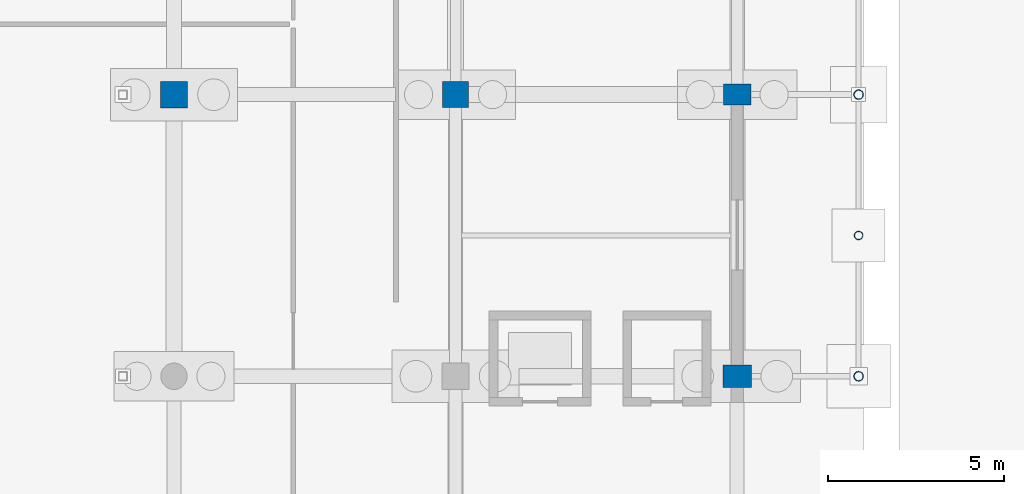
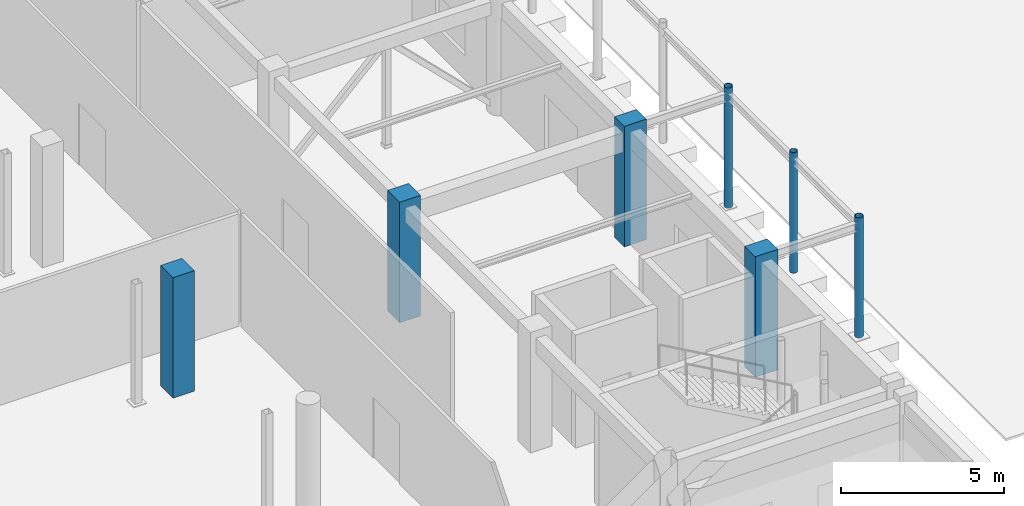
# One storey, part 19 of 166: 7 columns.
"""IFC4 building model written with IfcOpenShell, lengths in metres."""

import ifcopenshell
import ifcopenshell.guid

model = None  # the IFC model being written
_history = None  # IfcOwnerHistory: only IFC2X3 demands one
_inside = {}  # id of a spatial element -> (the spatial element, [elements in it])
_under = {}  # id of a project, library or spatial element -> (it, [spatial elements below it])
_declared = {}  # id of a project -> (the project, [libraries it declares])
_typed = {}  # id of a type object -> (the type object, [elements of that type])
_made_of = {}  # id of a material, layer set ... -> (it, [elements and type objects made of it])


def new_model(schema):
    """Start an empty IFC model of exactly this schema.

    Asked for "IFC4X3", IfcOpenShell would pick the latest addendum, in which some entities
    have other attributes; the version numbers below select the first issue.
    IFC2X3 requires an IfcOwnerHistory on every rooted entity: one is made here for all.
    """
    global model, _history
    if schema == "IFC4X3":
        model = ifcopenshell.file(schema_version=(4, 3, 0, 0))
    else:
        model = ifcopenshell.file(schema=schema)
    _inside.clear()
    _under.clear()
    _declared.clear()
    _typed.clear()
    _made_of.clear()
    _history = None
    if model.schema == "IFC2X3":
        org = make("IfcOrganization", Name="unknown")
        user = make(
            "IfcPersonAndOrganization",
            ThePerson=make("IfcPerson", FamilyName="unknown"),
            TheOrganization=org,
        )
        app = make(
            "IfcApplication",
            ApplicationDeveloper=org,
            Version="unknown",
            ApplicationFullName="unknown",
            ApplicationIdentifier="unknown",
        )
        _history = make(
            "IfcOwnerHistory",
            OwningUser=user,
            OwningApplication=app,
            ChangeAction="ADDED",
            CreationDate=0,
        )
    return model


def make(cls, **values):
    """One entity of the class cls with the attributes given. An attribute that is None is left unset."""
    return model.create_entity(
        cls, **{name: value for name, value in values.items() if value is not None}
    )


def rooted(cls, **values):
    """An entity with a GlobalId (a new one), such as an element, a storey or a relation."""
    return make(cls, GlobalId=ifcopenshell.guid.new(), OwnerHistory=_history, **values)


def si_unit(unit_type, name, prefix=None):
    """IfcSIUnit, for example si_unit("LENGTHUNIT", "METRE", prefix="MILLI")."""
    return make("IfcSIUnit", UnitType=unit_type, Prefix=prefix, Name=name)


def assignment(units):
    """IfcUnitAssignment: the units of a project."""
    return None if units is None else make("IfcUnitAssignment", Units=units)


def point(xyz):
    """IfcCartesianPoint."""
    return None if xyz is None else make("IfcCartesianPoint", Coordinates=xyz)


def direction(xyz):
    """IfcDirection."""
    return None if xyz is None else make("IfcDirection", DirectionRatios=xyz)


def frame(location, z_axis=None, x_axis=None):
    """IfcAxis2Placement3D, a coordinate frame: its origin and axes. An axis left out is left unset."""
    return make(
        "IfcAxis2Placement3D",
        Location=point(location),
        Axis=direction(z_axis),
        RefDirection=direction(x_axis),
    )


def frame_2d(location, x_axis=None):
    """IfcAxis2Placement2D, a coordinate frame in the plane: its origin and x axis."""
    return make(
        "IfcAxis2Placement2D", Location=point(location), RefDirection=direction(x_axis)
    )


def origin():
    """The frame at (0, 0, 0) with its axes left unset."""
    return frame((0.0, 0.0, 0.0))


def origin_2d():
    """The frame at (0, 0) in the plane with its x axis left unset."""
    return frame_2d((0.0, 0.0))


def place(relative_to, where):
    """IfcLocalPlacement: puts the frame where relative to a parent placement (None: the world)."""
    return make(
        "IfcLocalPlacement", PlacementRelTo=relative_to, RelativePlacement=where
    )


def context(
    kind, dimensions, precision=None, world=None, true_north=None, identifier=None
):
    """IfcGeometricRepresentationContext, for example the 3D "Model" context."""
    return make(
        "IfcGeometricRepresentationContext",
        ContextIdentifier=identifier,
        ContextType=kind,
        CoordinateSpaceDimension=dimensions,
        Precision=precision,
        WorldCoordinateSystem=world,
        TrueNorth=true_north,
    )


def subcontext(parent, identifier, kind, view, scale=None):
    """IfcGeometricRepresentationSubContext, for example "Body" below "Model"."""
    return make(
        "IfcGeometricRepresentationSubContext",
        ContextIdentifier=identifier,
        ContextType=kind,
        ParentContext=parent,
        TargetScale=scale,
        TargetView=view,
    )


def project(units=None, contexts=None):
    """IfcProject with its units and contexts."""
    return rooted(
        "IfcProject",
        Name="project",
        RepresentationContexts=contexts,
        UnitsInContext=assignment(units),
    )


def spatial(cls, under=None, at=None, **own):
    """A site, building, storey or space (cls), placed at a placement, below another one or the project."""
    s = rooted(cls, ObjectPlacement=at, **own)
    if under is not None:
        _under.setdefault(under.id(), (under, []))[1].append(s)
    return s


def profile(cls, at=None, kind="AREA", **sizes):
    """A parametric profile (cls). Its sizes go by their IFC names, for example OverallWidth=200.0."""
    return make(cls, ProfileType=kind, Position=at, **sizes)


def rectangle(**sizes):
    """IfcRectangleProfileDef."""
    return profile("IfcRectangleProfileDef", **sizes)


def hollow_circle(**sizes):
    """IfcCircleHollowProfileDef."""
    return profile("IfcCircleHollowProfileDef", **sizes)


def extrude(swept, where, along, depth):
    """IfcExtrudedAreaSolid: the profile swept, set in the frame where, extruded along a direction by depth."""
    return make(
        "IfcExtrudedAreaSolid",
        SweptArea=swept,
        Position=where,
        ExtrudedDirection=direction(along),
        Depth=depth,
    )


def shape(context_of_items, identifier, shape_type, items):
    """IfcShapeRepresentation: the items that make up one representation, for example the "Body"."""
    return make(
        "IfcShapeRepresentation",
        ContextOfItems=context_of_items,
        RepresentationIdentifier=identifier,
        RepresentationType=shape_type,
        Items=items,
    )


def material(Name=None, Category=None):
    """IfcMaterial."""
    return make("IfcMaterial", Name=Name, Category=Category)


def material_profile(
    of_material, cross_section, Name=None, Category=None, Priority=None
):
    """IfcMaterialProfile: a cross section and its material."""
    return make(
        "IfcMaterialProfile",
        Name=Name,
        Material=of_material,
        Profile=cross_section,
        Priority=Priority,
        Category=Category,
    )


def profile_set(profiles, Name=None, composite=None):
    """IfcMaterialProfileSet."""
    return make(
        "IfcMaterialProfileSet",
        Name=Name,
        MaterialProfiles=profiles,
        CompositeProfile=composite,
    )


def made_of(thing, what):
    """Note that an element or type object is made of a material, layer set ...; save() writes the relation."""
    if what is not None:
        _made_of.setdefault(what.id(), (what, []))[1].append(thing)
    return thing


def type_object(cls, material=None, **own):
    """A type object (cls), such as IfcWallType, which elements share."""
    return made_of(rooted(cls, **own), material)


def element(
    cls,
    number,
    at=None,
    inside=None,
    cuts=None,
    type_object=None,
    material=None,
    context=None,
    identifier="Body",
    shape_type=None,
    held_by="IfcProductDefinitionShape",
    body=None,
    shapes=None,
    **own,
):
    """One element of the class cls, such as IfcWall. Its Tag is "e" and its number.

    at: its placement. inside: the storey or other place that contains it. cuts: it is an
    opening in that element (IfcRelVoidsElement). A single representation is given by context,
    identifier, shape_type and body (its items); several are given by shapes. held_by: the class
    of the entity that holds the representations. save() writes the other relations.
    """
    e = rooted(cls, Tag="e%d" % number, ObjectPlacement=at, **own)
    if body is not None:
        shapes = [shape(context, identifier, shape_type, body)]
    if shapes is not None:
        e.Representation = make(held_by, Representations=shapes)
    if inside is not None:
        _inside.setdefault(inside.id(), (inside, []))[1].append(e)
    if cuts is not None:
        rooted(
            "IfcRelVoidsElement", RelatingBuildingElement=cuts, RelatedOpeningElement=e
        )
    if type_object is not None:
        _typed.setdefault(type_object.id(), (type_object, []))[1].append(e)
    return made_of(e, material)


def aggregate(whole, parts):
    """IfcRelAggregates: a whole, such as a stair, and the parts it consists of."""
    return rooted("IfcRelAggregates", RelatingObject=whole, RelatedObjects=parts)


def save(model, path):
    """Write the relations noted so far, then the file.

    IfcRelAggregates (storeys below a building ...), IfcRelContainedInSpatialStructure (elements
    in a storey), IfcRelDefinesByType, IfcRelAssociatesMaterial and IfcRelDeclares: one each for
    every whole, place, type object, material and project.
    """
    for whole, parts in _under.values():
        aggregate(whole, parts)
    for where, things in _inside.values():
        rooted(
            "IfcRelContainedInSpatialStructure",
            RelatedElements=things,
            RelatingStructure=where,
        )
    for kind, things in _typed.values():
        rooted("IfcRelDefinesByType", RelatedObjects=things, RelatingType=kind)
    for what, things in _made_of.values():
        rooted("IfcRelAssociatesMaterial", RelatedObjects=things, RelatingMaterial=what)
    for by, libraries in _declared.values():
        rooted("IfcRelDeclares", RelatingContext=by, RelatedDefinitions=libraries)
    model.write(path)


model = new_model("IFC4")

# Units and contexts
model_context = context("Model", 3, precision=1e-05, world=origin(), true_north=direction((0.0, 1.0)))
body_context = subcontext(model_context, "Body", "Model", "MODEL_VIEW")
ifc_project = project(units=[si_unit("LENGTHUNIT", "METRE"), si_unit("AREAUNIT", "SQUARE_METRE"), si_unit("VOLUMEUNIT", "CUBIC_METRE"), si_unit("PLANEANGLEUNIT", "RADIAN"), si_unit("MASSUNIT", "GRAM", prefix="KILO")], contexts=[model_context])

# Site, building, storey
site_placement = place(None, origin())
site = spatial("IfcSite", under=ifc_project, at=site_placement, CompositionType="ELEMENT")
building_placement = place(site_placement, origin())
building = spatial("IfcBuilding", under=site, at=building_placement, Name="Kharva Crest Polytechnic", CompositionType="ELEMENT")
storey_placement = place(building_placement, origin())
storey = spatial("IfcBuildingStorey", under=building, at=storey_placement, Name="L00", CompositionType="ELEMENT", Elevation=0.0)

# Columns
ifc_material_1 = material(Name="Concrete C40/50", Category="concrete")
ifc_material_profile_1 = material_profile(ifc_material_1, rectangle(XDim=0.780029296875, YDim=0.60009765625, at=origin_2d()), Name="RECT 780 X 600")
ifc_profile_set_1 = profile_set([ifc_material_profile_1], Name="Concrete C40/50")
column_type_1 = type_object("IfcColumnType", Name="COL-EXT-780X600", PredefinedType="COLUMN", material=ifc_profile_set_1)
column_1_placement = place(storey_placement, frame((48.0, 54.800048828125, 0.0), z_axis=(0.0, 0.0, 1.0), x_axis=(1.0, 0.0, 0.0)))
element("IfcColumn", 1, at=column_1_placement, inside=storey, type_object=column_type_1, Name="L00 Column 7/H", PredefinedType="COLUMN", context=body_context, shape_type="SweptSolid", body=[
    extrude(rectangle(XDim=0.780029296875, YDim=0.60009765625, at=origin_2d()), origin(), (0.0, 0.0, 1.0), 4.5),
])
ifc_material_profile_2 = material_profile(ifc_material_1, rectangle(XDim=0.800048828125, YDim=0.64990234375, at=origin_2d()), Name="RECT 800 X 650")
ifc_profile_set_2 = profile_set([ifc_material_profile_2], Name="Concrete C40/50")
column_type_2 = type_object("IfcColumnType", Name="COL-EXT-800X650", PredefinedType="COLUMN", material=ifc_profile_set_2)
column_2_placement = place(storey_placement, frame((48.0, 46.800048828125, 0.0), z_axis=(0.0, 0.0, 1.0), x_axis=(1.0, 0.0, 0.0)))
element("IfcColumn", 2, at=column_2_placement, inside=storey, type_object=column_type_2, Name="L00 Column 7/G", PredefinedType="COLUMN", context=body_context, shape_type="SweptSolid", body=[
    extrude(rectangle(XDim=0.800048828125, YDim=0.64990234375, at=origin_2d()), origin(), (0.0, 0.0, 1.0), 4.5),
])
ifc_material_profile_3 = material_profile(ifc_material_1, rectangle(XDim=0.739990234375, YDim=0.739990234375, at=origin_2d()), Name="RECT 740 X 740")
ifc_profile_set_3 = profile_set([ifc_material_profile_3], Name="Concrete C40/50")
column_type_3 = type_object("IfcColumnType", Name="COL-INT-740X740", PredefinedType="COLUMN", material=ifc_profile_set_3)
column_3_placement = place(storey_placement, frame((40.0, 54.800048828125, 0.0), z_axis=(0.0, 0.0, 1.0), x_axis=(1.0, 0.0, 0.0)))
element("IfcColumn", 3, at=column_3_placement, inside=storey, type_object=column_type_3, Name="L00 Column 6/H", PredefinedType="COLUMN", context=body_context, shape_type="SweptSolid", body=[
    extrude(rectangle(XDim=0.739990234375, YDim=0.739990234375, at=origin_2d()), origin(), (0.0, 0.0, 1.0), 4.5),
])
ifc_material_profile_4 = material_profile(ifc_material_1, rectangle(XDim=0.760009765625, YDim=0.760009765625, at=origin_2d()), Name="RECT 760 X 760")
ifc_profile_set_4 = profile_set([ifc_material_profile_4], Name="Concrete C40/50")
column_type_4 = type_object("IfcColumnType", Name="COL-INT-760X760", PredefinedType="COLUMN", material=ifc_profile_set_4)
column_4_placement = place(storey_placement, frame((32.0, 54.800048828125, 0.0), z_axis=(0.0, 0.0, 1.0), x_axis=(1.0, 0.0, 0.0)))
element("IfcColumn", 4, at=column_4_placement, inside=storey, type_object=column_type_4, Name="L00 Column 5/H", PredefinedType="COLUMN", context=body_context, shape_type="SweptSolid", body=[
    extrude(rectangle(XDim=0.760009765625, YDim=0.760009765625, at=origin_2d()), origin(), (0.0, 0.0, 1.0), 4.5),
])
ifc_material_2 = material(Name="Steel S355", Category="steel")
ifc_material_profile_5 = material_profile(ifc_material_2, hollow_circle(Radius=0.122314453125, WallThickness=0.010009765625, at=origin_2d()), Name="CHS 244.5X10.0")
ifc_profile_set_5 = profile_set([ifc_material_profile_5], Name="Steel S355")
column_type_5 = type_object("IfcColumnType", Name="COL-STL-CHS244", PredefinedType="COLUMN", material=ifc_profile_set_5)
column_5_placement = place(storey_placement, frame((51.449951171875, 50.800048828125, 0.0), z_axis=(0.0, 0.0, 1.0), x_axis=(1.0, 0.0, 0.0)))
element("IfcColumn", 5, at=column_5_placement, inside=storey, type_object=column_type_5, Name="L00 Colonnade Mid Column VWM01", PredefinedType="COLUMN", context=body_context, shape_type="SweptSolid", body=[
    extrude(hollow_circle(Radius=0.122314453125, WallThickness=0.010009765625, at=origin_2d()), origin(), (0.0, 0.0, 1.0), 4.5),
])
ifc_material_profile_6 = material_profile(ifc_material_2, hollow_circle(Radius=0.136474609375, WallThickness=0.012451171875, at=origin_2d()), Name="CHS 273.0X12.5")
ifc_profile_set_6 = profile_set([ifc_material_profile_6], Name="Steel S355")
column_type_6 = type_object("IfcColumnType", Name="COL-STL-CHS273", PredefinedType="COLUMN", material=ifc_profile_set_6)
for number, where, z_axis, x_axis, name in (
    (6, (51.449951171875, 46.800048828125, 0.0), (0.0, 0.0, 1.0), (1.0, 0.0, 0.0), "L00 Colonnade Column VW01"),
    (7, (51.449951171875, 54.800048828125, 0.0), (0.0, 0.0, 1.0), (1.0, 0.0, 0.0), "L00 Colonnade Column VW02"),
):
    element("IfcColumn", number, at=place(storey_placement, frame(where, z_axis=z_axis, x_axis=x_axis)), inside=storey, type_object=column_type_6, Name=name, PredefinedType="COLUMN", context=body_context, shape_type="SweptSolid", body=[
        extrude(hollow_circle(Radius=0.136474609375, WallThickness=0.012451171875, at=origin_2d()), origin(), (0.0, 0.0, 1.0), 4.5),
    ])

save(model, "model.ifc")
